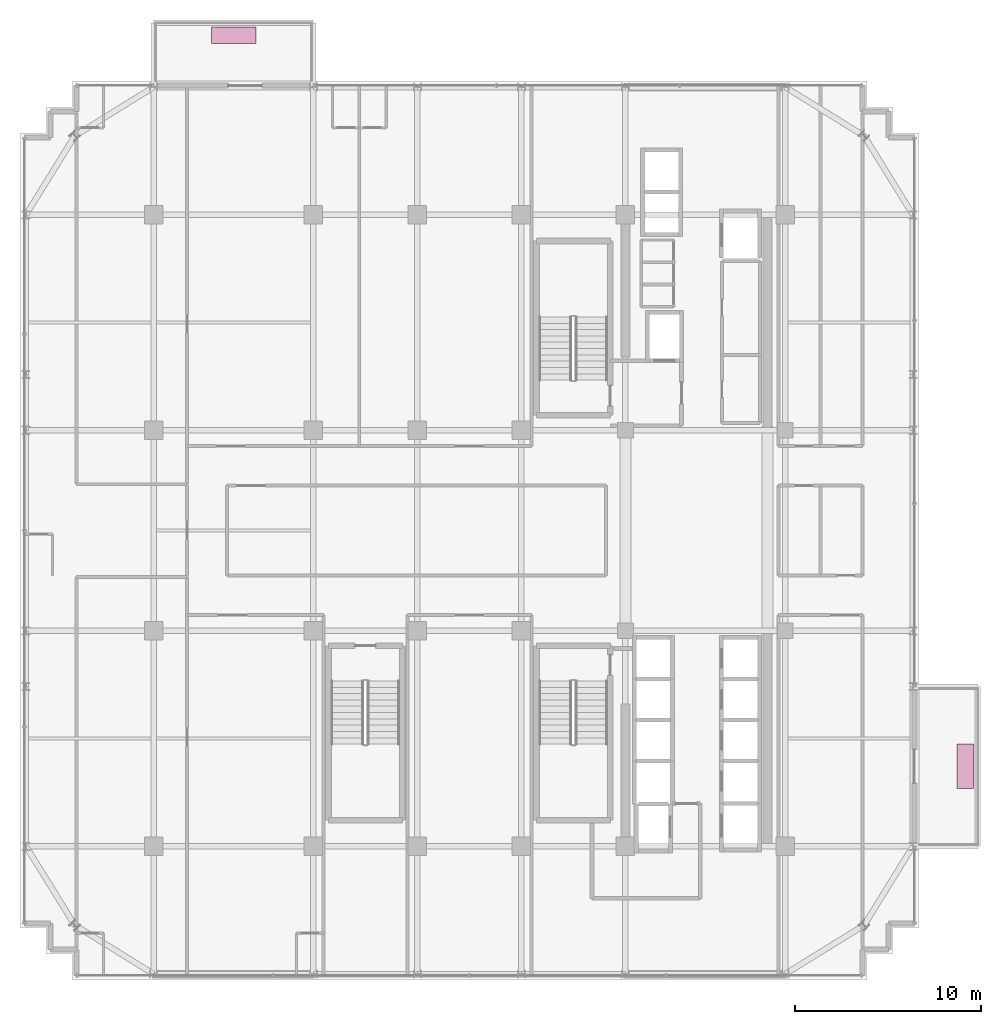
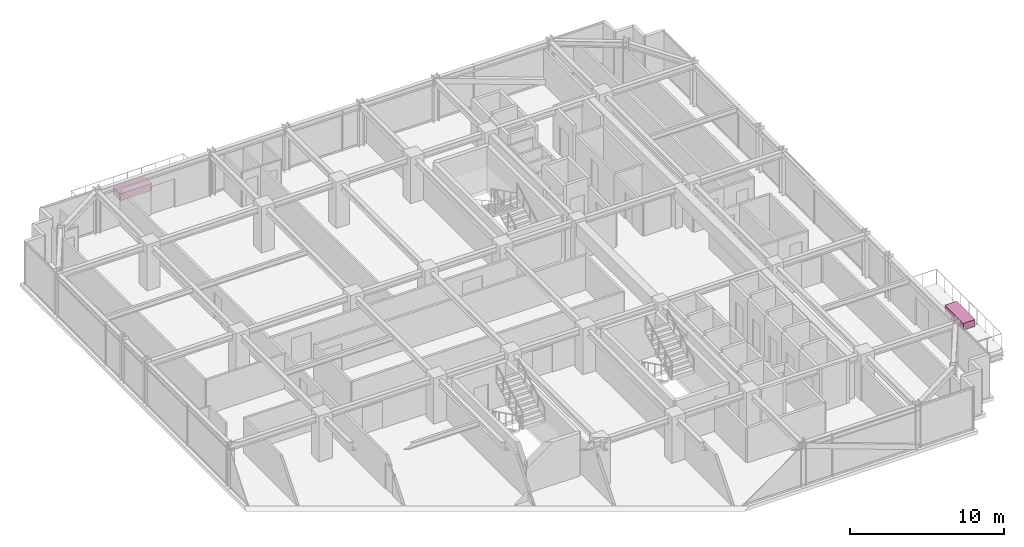
# One storey, part 36 of 36: 2 furnishings.
"""IFC4 building model written with IfcOpenShell, lengths in metres."""

from ifc_helpers import new_model, si_unit, direction, frame, origin, origin_2d, place, context, subcontext, project, spatial, rectangle, extrude, source, transform, mapped, material, type_object, element, save


model = new_model("IFC4")

# Units and contexts
model_context = context("Model", 3, precision=1e-05, world=origin(), true_north=direction((0.0, 1.0)))
body_context = subcontext(model_context, "Body", "Model", "MODEL_VIEW")
ifc_project = project(units=[si_unit("LENGTHUNIT", "METRE"), si_unit("AREAUNIT", "SQUARE_METRE"), si_unit("VOLUMEUNIT", "CUBIC_METRE"), si_unit("PLANEANGLEUNIT", "RADIAN"), si_unit("MASSUNIT", "GRAM", prefix="KILO")], contexts=[model_context])

# Site, building, storey
site_placement = place(None, origin())
site = spatial("IfcSite", under=ifc_project, at=site_placement, CompositionType="ELEMENT")
building_placement = place(site_placement, origin())
building = spatial("IfcBuilding", under=site, at=building_placement, Name="Nahalor Promenade Grand Hotel", CompositionType="ELEMENT")
storey_placement = place(building_placement, frame((0.0, 0.0, 234.5)))
storey = spatial("IfcBuildingStorey", under=building, at=storey_placement, Name="L60", CompositionType="ELEMENT", Elevation=234.5)

# Furnishings
ifc_material = material(Name="Vegetated Volcanic-Lapilli Tree Planter", Category="earth")
furnishing_element_type = type_object("IfcFurnishingElementType", Name="Planter-VerticalForest-Box", material=ifc_material)
shared_shape = source(origin(), body_context, "Body", "SweptSolid", [
    extrude(rectangle(XDim=2.39990234375, YDim=0.89990234375, at=origin_2d()), origin(), (0.0, 0.0, 1.0), 0.550048828125),
])
for number, where, z_axis, x_axis, name in (
    (1, (-12.699951171875, 26.669921875, 0.0), (0.0, 0.0, 1.0), (1.0, 0.0, 0.0), "L60 Balcony Structural Tree Planter 1"),
    (2, (26.699951171875, -12.699951171875, 0.0), (0.0, 0.0, 1.0), (0.0, 1.0, 0.0), "L60 Balcony Structural Tree Planter 2"),
):
    element("IfcFurnishingElement", number, at=place(storey_placement, frame(where, z_axis=z_axis, x_axis=x_axis)), inside=storey, type_object=furnishing_element_type, Name=name, ObjectType="PLANTER", context=body_context, shape_type="MappedRepresentation", body=[
        mapped(shared_shape, transform((0.0, 0.0, 0.0), scale=1.0)),
    ])

save(model, "model.ifc")
